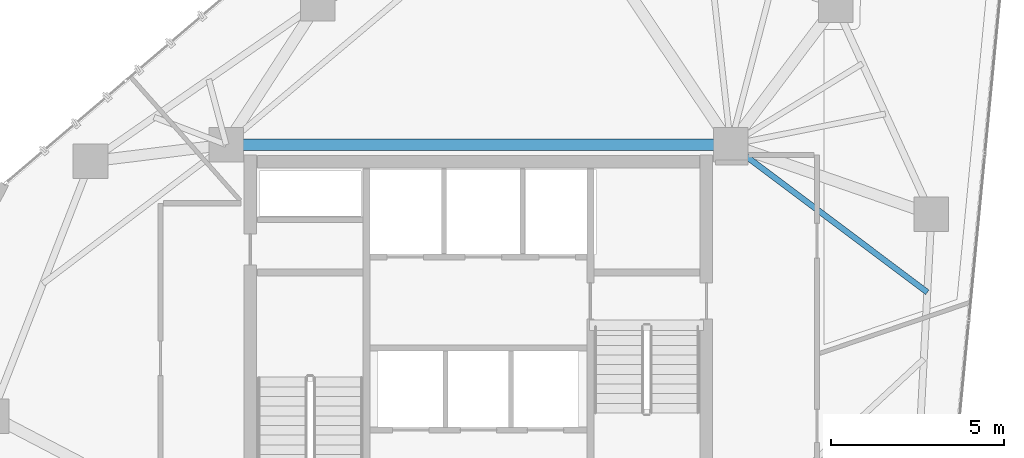
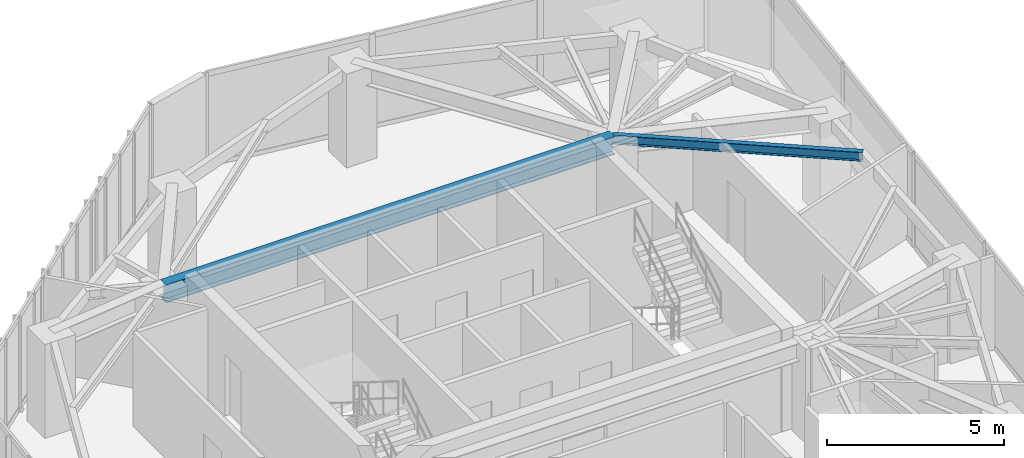
# One storey, part 11 of 20: 2 beams.
"""IFC4 building model written with IfcOpenShell, lengths in metres."""

from ifc_helpers import new_model, si_unit, direction, frame, origin, origin_2d, place, context, subcontext, project, spatial, i_section, extrude, material, material_profile, profile_set, type_object, element, save


model = new_model("IFC4")

# Units and contexts
model_context = context("Model", 3, precision=1e-05, world=origin(), true_north=direction((0.0, 1.0)))
body_context = subcontext(model_context, "Body", "Model", "MODEL_VIEW")
ifc_project = project(units=[si_unit("LENGTHUNIT", "METRE"), si_unit("AREAUNIT", "SQUARE_METRE"), si_unit("VOLUMEUNIT", "CUBIC_METRE"), si_unit("PLANEANGLEUNIT", "RADIAN"), si_unit("MASSUNIT", "GRAM", prefix="KILO")], contexts=[model_context])

# Site, building, storey
site_placement = place(None, origin())
site = spatial("IfcSite", under=ifc_project, at=site_placement, CompositionType="ELEMENT")
building_placement = place(site_placement, origin())
building = spatial("IfcBuilding", under=site, at=building_placement, Name="Talar Marvaseh", CompositionType="ELEMENT")
storey_placement = place(building_placement, frame((0.0, 0.0, 211.699951171875)))
storey = spatial("IfcBuildingStorey", under=building, at=storey_placement, Name="L55", CompositionType="ELEMENT", Elevation=211.699951171875)

# Beams
ifc_material = material(Name="Steel S355", Category="steel")
ifc_material_profile_1 = material_profile(ifc_material, i_section(OverallWidth=0.324951171875, OverallDepth=0.615966796875, WebThickness=0.013916015625, FlangeThickness=0.021484375, at=origin_2d()), Name="W610x174")
ifc_profile_set_1 = profile_set([ifc_material_profile_1], Name="Steel S355")
beam_type_1 = type_object("IfcBeamType", Name="Zone 3 Radial Floor Girder W610x174", PredefinedType="BEAM", material=ifc_profile_set_1)
beam_1_placement = place(storey_placement, frame((18.699951171875, 36.89990234375, 2.922119140625), z_axis=(1.0, 0.0, 0.0), x_axis=(0.0, 1.0, 0.0)))
element("IfcBeam", 1, at=beam_1_placement, inside=storey, type_object=beam_type_1, Name="L55 Zone 3 Radial Floor Girder W610x174", PredefinedType="BEAM", context=body_context, shape_type="SweptSolid", body=[
    extrude(i_section(OverallWidth=0.324951171875, OverallDepth=0.615966796875, WebThickness=0.013916015625, FlangeThickness=0.021484375, at=origin_2d()), origin(), (0.0, 0.0, 1.0), 14.60009765625),
])
ifc_material_profile_2 = material_profile(ifc_material, i_section(OverallWidth=0.166015625, OverallDepth=0.31298828125, WebThickness=0.006591796875, FlangeThickness=0.01123046875, at=origin_2d()), Name="W310x45")
ifc_profile_set_2 = profile_set([ifc_material_profile_2], Name="Steel S355")
beam_type_2 = type_object("IfcBeamType", Name="Zone 3 Secondary Floor Joist W310x45", PredefinedType="JOIST", material=ifc_profile_set_2)
beam_2_placement = place(storey_placement, frame((38.994384765625, 32.627197265625, 3.073486328125), z_axis=(-0.799868292589, 0.600175569739, 0.0), x_axis=(-0.600175569739, -0.799868292589, 0.0)))
element("IfcBeam", 2, at=beam_2_placement, inside=storey, type_object=beam_type_2, Name="L55 Zone 3 Secondary Floor Joist W310x45", PredefinedType="JOIST", context=body_context, shape_type="SweptSolid", body=[
    extrude(i_section(OverallWidth=0.166015625, OverallDepth=0.31298828125, WebThickness=0.006591796875, FlangeThickness=0.01123046875, at=origin_2d()), origin(), (0.0, 0.0, 1.0), 7.119140625),
])

save(model, "model.ifc")
